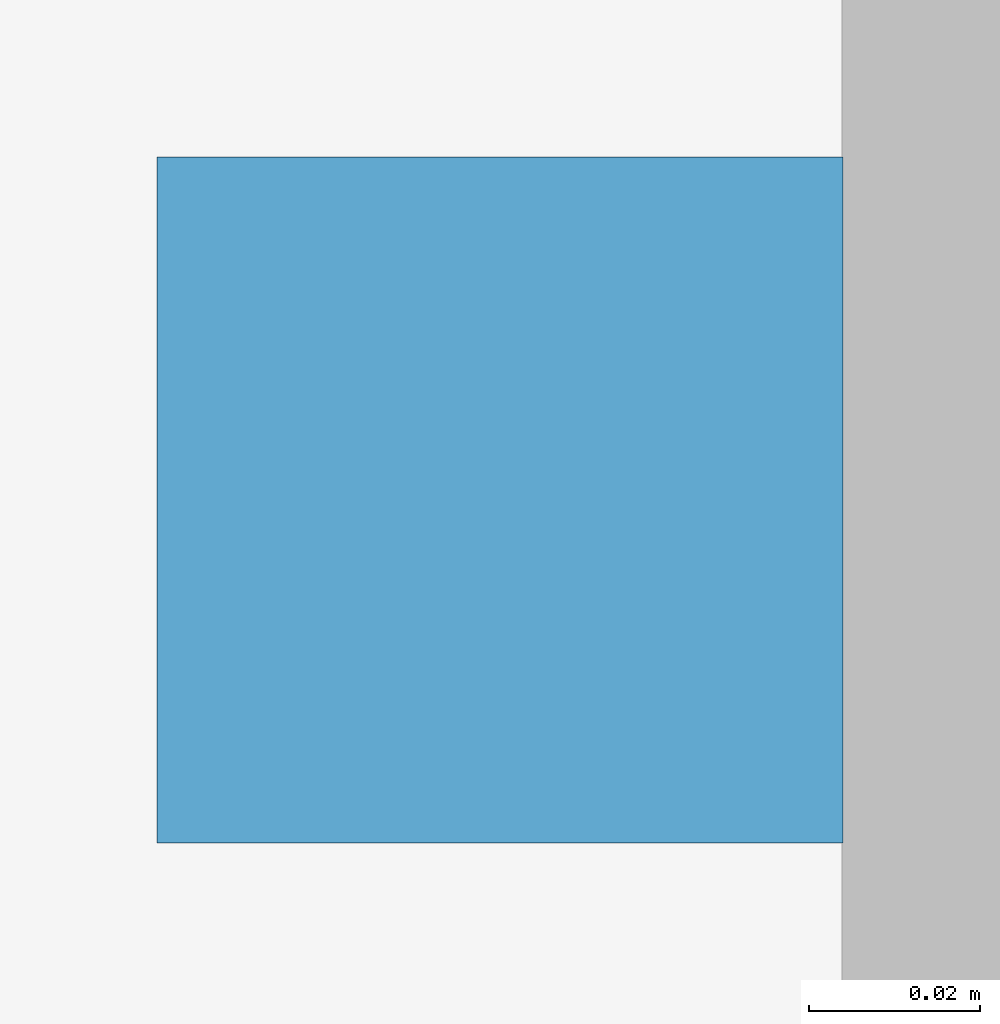
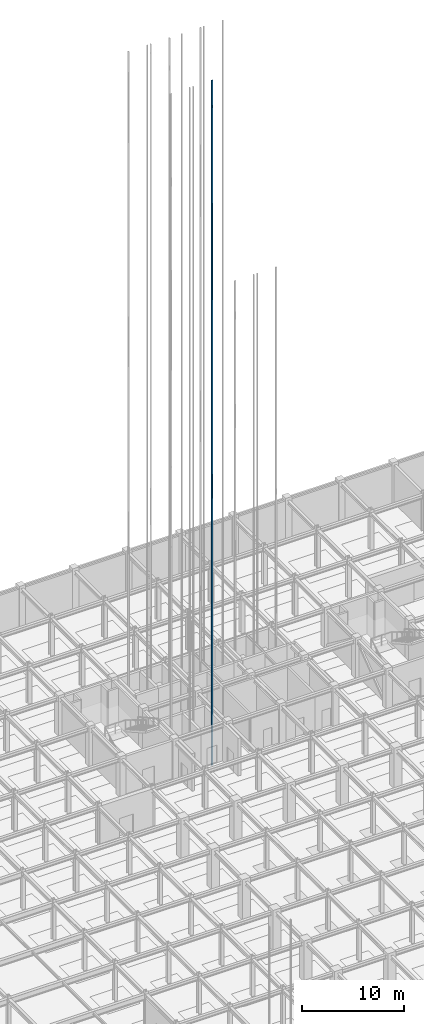
# One storey, part 55 of 69: 1 discrete accessory.
"""IFC4 building model written with IfcOpenShell, lengths in metres."""

from ifc_helpers import new_model, si_unit, direction, frame, origin, origin_2d, place, context, subcontext, project, spatial, rectangle, extrude, material, type_object, element, save


model = new_model("IFC4")

# Units and contexts
model_context = context("Model", 3, precision=1e-05, world=origin(), true_north=direction((0.0, 1.0)))
body_context = subcontext(model_context, "Body", "Model", "MODEL_VIEW")
ifc_project = project(units=[si_unit("LENGTHUNIT", "METRE"), si_unit("AREAUNIT", "SQUARE_METRE"), si_unit("VOLUMEUNIT", "CUBIC_METRE"), si_unit("PLANEANGLEUNIT", "RADIAN"), si_unit("MASSUNIT", "GRAM", prefix="KILO")], contexts=[model_context])

# Site, building, storey
site_placement = place(None, origin())
site = spatial("IfcSite", under=ifc_project, at=site_placement, CompositionType="ELEMENT")
building_placement = place(site_placement, origin())
building = spatial("IfcBuilding", under=site, at=building_placement, Name="Zlatovratsky Civic Hall", CompositionType="ELEMENT")
storey_placement = place(building_placement, frame((0.0, 0.0, -4.800048828125)))
storey = spatial("IfcBuildingStorey", under=building, at=storey_placement, Name="B1", CompositionType="ELEMENT", Elevation=-4.800048828125)

# Discrete accessory
ifc_material = material(Name="Steel S355", Category="steel")
discrete_accessory_type = type_object("IfcDiscreteAccessoryType", Name="Lift_GuideRail", PredefinedType="USERDEFINED", material=ifc_material)
discrete_accessory_placement = place(storey_placement, frame((77.31005859375, 85.85009765625, -1.60009765625), z_axis=(0.0, 0.0, 1.0), x_axis=(1.0, 0.0, 0.0)))
element("IfcDiscreteAccessory", 1, at=discrete_accessory_placement, inside=storey, type_object=discrete_accessory_type, Name="Lift Guide Rail LF-02 R", ObjectType="GUIDE RAIL", PredefinedType="USERDEFINED", context=body_context, shape_type="SweptSolid", body=[
    extrude(rectangle(XDim=0.080078125, YDim=0.080078125, at=origin_2d()), origin(), (0.0, 0.0, 1.0), 81.60009765625),
])

save(model, "model.ifc")
